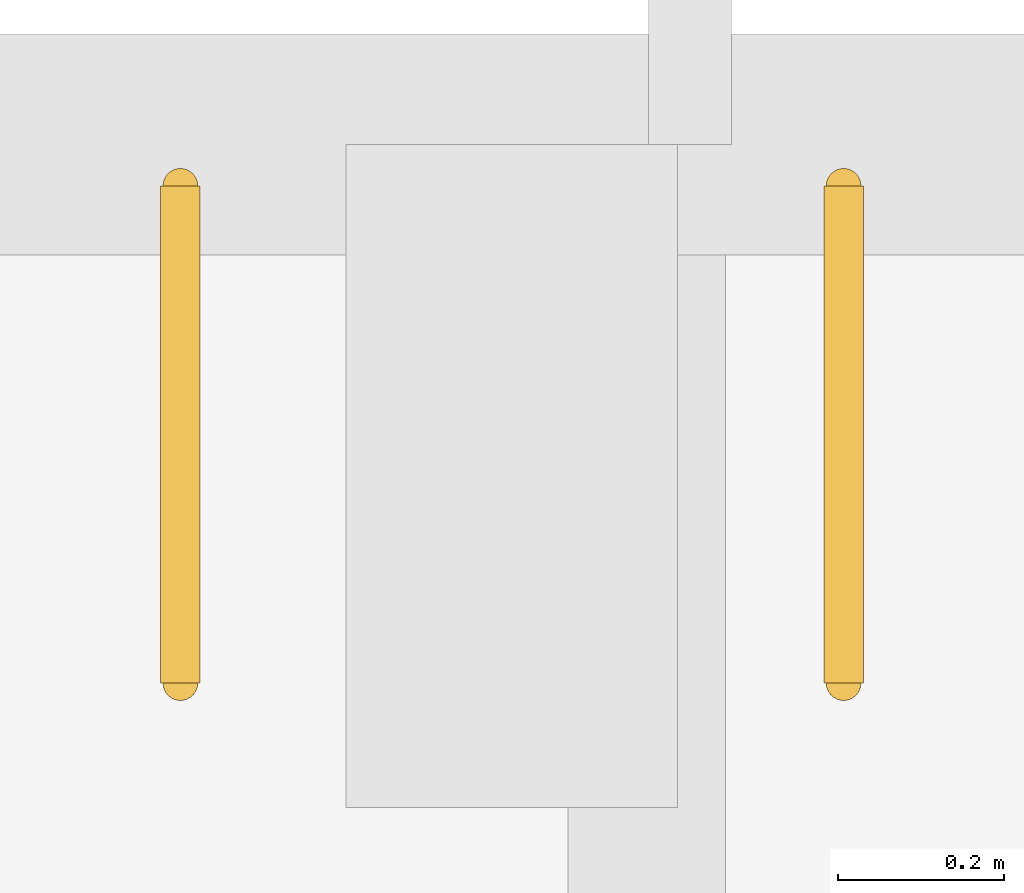
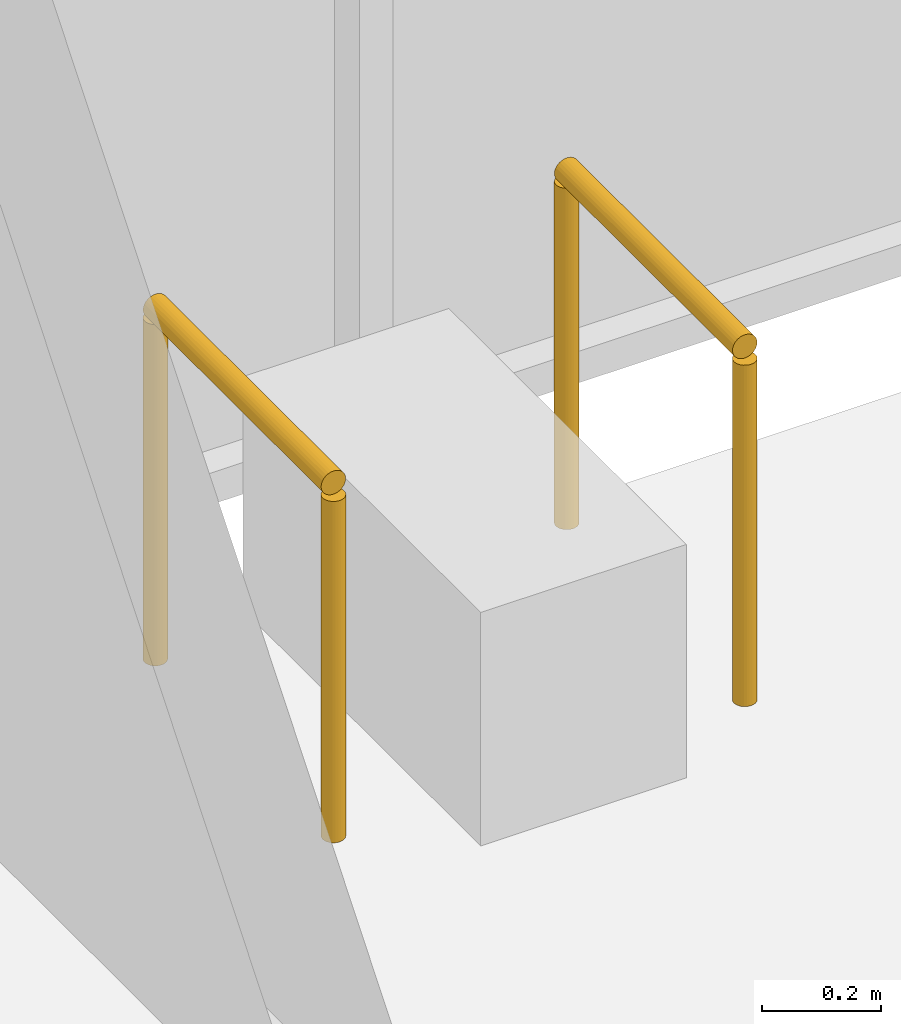
# One storey, part 152 of 153: 2 railings.
"""IFC4 building model written with IfcOpenShell, lengths in metres."""

from ifc_helpers import new_model, si_unit, direction, frame, origin, origin_2d, place, context, subcontext, project, spatial, circle, extrude, material, type_object, element, save


model = new_model("IFC4")

# Units and contexts
model_context = context("Model", 3, precision=1e-05, world=origin(), true_north=direction((0.0, 1.0)))
body_context = subcontext(model_context, "Body", "Model", "MODEL_VIEW")
ifc_project = project(units=[si_unit("LENGTHUNIT", "METRE"), si_unit("AREAUNIT", "SQUARE_METRE"), si_unit("VOLUMEUNIT", "CUBIC_METRE"), si_unit("PLANEANGLEUNIT", "RADIAN"), si_unit("MASSUNIT", "GRAM", prefix="KILO")], contexts=[model_context])

# Site, building, storey
site_placement = place(None, origin())
site = spatial("IfcSite", under=ifc_project, at=site_placement, CompositionType="ELEMENT")
building_placement = place(site_placement, origin())
building = spatial("IfcBuilding", under=site, at=building_placement, Name="Baradari Gate Terminus", CompositionType="ELEMENT")
storey_placement = place(building_placement, frame((0.0, 0.0, 11.699951171875)))
storey = spatial("IfcBuildingStorey", under=building, at=storey_placement, Name="L02", CompositionType="ELEMENT", Elevation=11.699951171875)

# Railings
ifc_material = material(Name="Stainless steel 1.4301", Category="steel")
railing_type = type_object("IfcRailingType", Name="Grab rail GB-1 750", PredefinedType="HANDRAIL", material=ifc_material)
for number, where, name in (
    (1, (38.4375, 143.949951171875, 0.0), "Grab rail Accessible WC"),
    (2, (39.237548828125, 143.949951171875, 0.0), "Grab rail Accessible WC"),
):
    element("IfcRailing", number, at=place(storey_placement, frame(where)), inside=storey, type_object=railing_type, Name=name, PredefinedType="HANDRAIL", context=body_context, shape_type="SweptSolid", body=[
        extrude(circle(Radius=0.02392578125, at=origin_2d()), frame((0.0, 0.0, 0.72607421875), z_axis=(0.0, -1.0, 0.0), x_axis=(1.0, 0.0, 0.0)), (0.0, 0.0, 1.0), 0.599853515625),
        extrude(circle(Radius=0.02099609375, at=origin_2d()), origin(), (0.0, 0.0, 1.0), 0.701904296875),
        extrude(circle(Radius=0.02099609375, at=origin_2d()), frame((0.0, -0.599853515625, 0.0)), (0.0, 0.0, 1.0), 0.701904296875),
    ])

save(model, "model.ifc")
